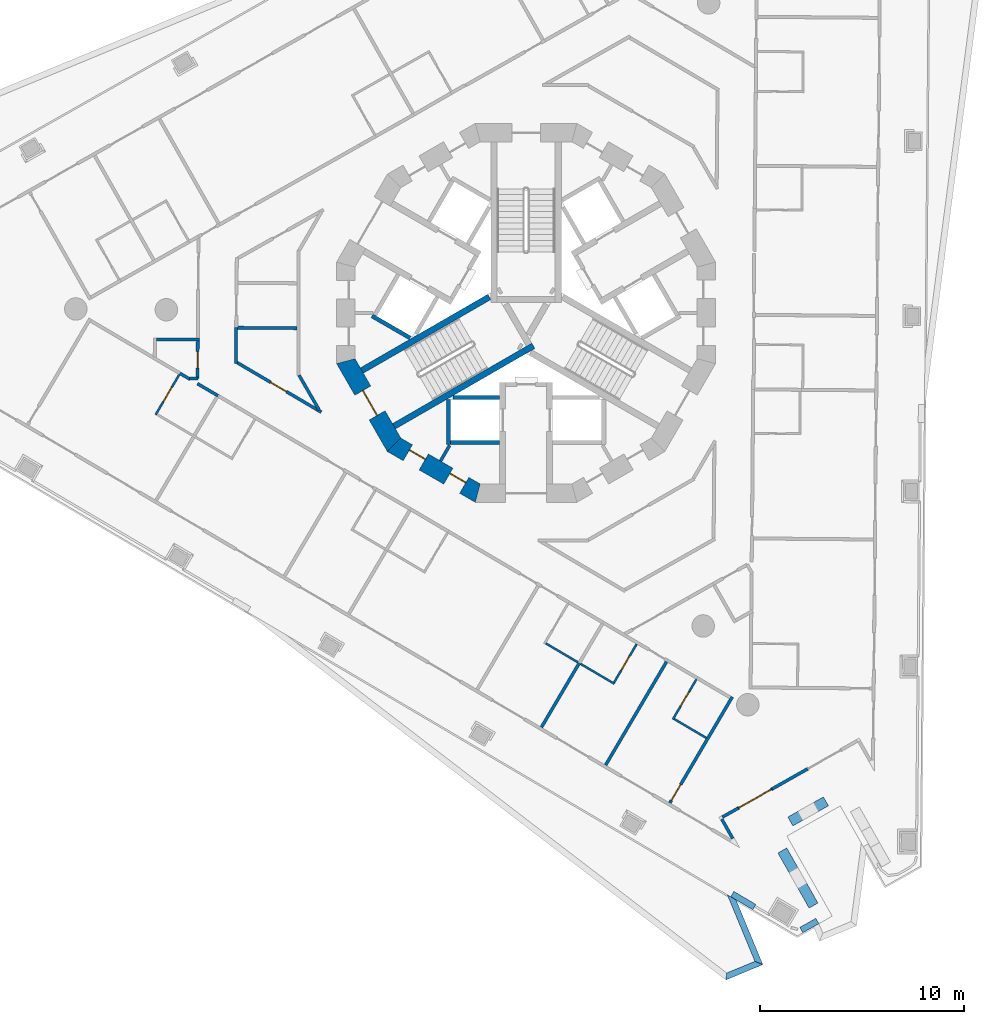
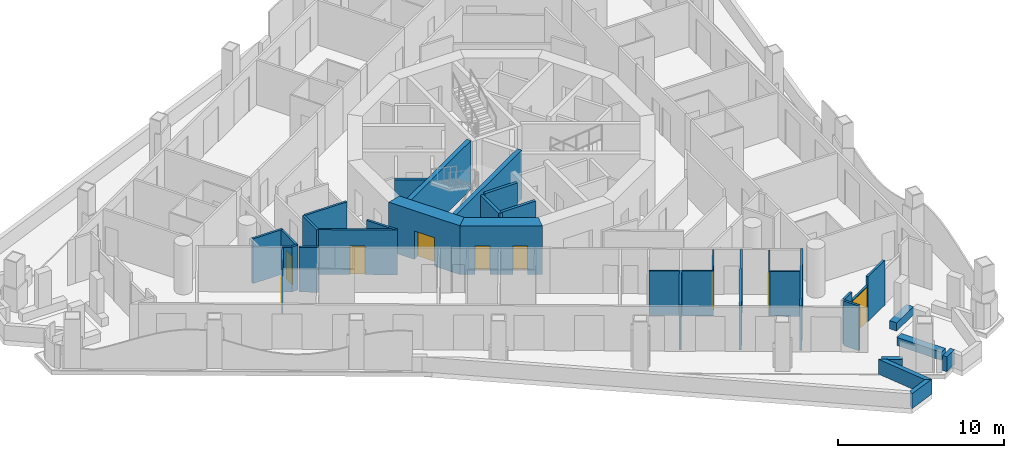
# One storey, part 3 of 18: 37 walls, 10 doors, 10 openings.
"""IFC4 building model written with IfcOpenShell, lengths in metres."""

from ifc_helpers import new_model, si_unit, direction, frame, frame_2d, origin, place, context, subcontext, project, spatial, polyline, rectangle, outline, extrude, material, layer, layer_set, type_object, element, fill, save


model = new_model("IFC4")

# Units and contexts
model_context = context("Model", 3, precision=1e-05, world=origin(), true_north=direction((0.0, 1.0)))
body_context = subcontext(model_context, "Body", "Model", "MODEL_VIEW")
ifc_project = project(units=[si_unit("LENGTHUNIT", "METRE"), si_unit("AREAUNIT", "SQUARE_METRE"), si_unit("VOLUMEUNIT", "CUBIC_METRE"), si_unit("PLANEANGLEUNIT", "RADIAN"), si_unit("MASSUNIT", "GRAM", prefix="KILO")], contexts=[model_context])

# Site, building, storey
site_placement = place(None, origin())
site = spatial("IfcSite", under=ifc_project, at=site_placement, CompositionType="ELEMENT")
building_placement = place(site_placement, origin())
building = spatial("IfcBuilding", under=site, at=building_placement, Name="Trine Commons Tower", CompositionType="ELEMENT")
storey_placement = place(building_placement, frame((0.0, 0.0, 161.10009765625)))
storey = spatial("IfcBuildingStorey", under=building, at=storey_placement, Name="L41", CompositionType="ELEMENT", Elevation=161.10009765625)

# Walls
ifc_material_1 = material(Name="Plasterboard partition on steel studs", Category="steel")
ifc_layer_1 = layer(ifc_material_1, 0.14990234375)
ifc_layer_set_1 = layer_set([ifc_layer_1], Name="Plasterboard partition on steel studs")
wall_type_1 = type_object("IfcWallType", Name="Core room partition 150 mm, EI 60", PredefinedType="PARTITIONING", material=ifc_layer_set_1)
wall_1_placement = place(storey_placement, frame((75.81396484375, 55.2490234375, 0.0), z_axis=(0.0, 0.0, 1.0), x_axis=(0.499890179513, 0.866088799389, 0.0)))
element("IfcWall", 1, at=wall_1_placement, inside=storey, type_object=wall_type_1, Name="Core room partition L41", PredefinedType="PARTITIONING", context=body_context, shape_type="SweptSolid", body=[
    extrude(rectangle(XDim=0.882080078125, YDim=0.14990234375, at=frame_2d((0.44091796875, 0.0))), origin(), (0.0, 0.0, 1.0), 3.2998046875),
])
ifc_material_2 = material(Name="Aluminium-framed insulated wall panel", Category="aluminium")
ifc_layer_2 = layer(ifc_material_2, 0.14990234375)
ifc_layer_set_2 = layer_set([ifc_layer_2], Name="Aluminium-framed insulated wall panel")
wall_type_2 = type_object("IfcWallType", Name="Glazed frame wall 150, EI 60", PredefinedType="SOLIDWALL", material=ifc_layer_set_2)
wall_2_placement = place(storey_placement, frame((93.77685546875, 40.180419921875, 0.0), z_axis=(0.0, 0.0, 1.0), x_axis=(-0.870353598469, -0.492427267353, 0.0)))
element("IfcWall", 2, at=wall_2_placement, inside=storey, type_object=wall_type_2, Name="Glazed frame wall P3.3", PredefinedType="SOLIDWALL", context=body_context, shape_type="SweptSolid", body=[
    extrude(outline(polyline([(0.0, -0.074951171875), (2.0, -0.074951171875), (2.0, 0.074951171875), (0.0, 0.074951171875), (0.0, -0.074951171875)])), origin(), (0.0, 0.0, 1.0), 3.2998046875),
])

# Wall, opening, door
wall_3_placement = place(storey_placement, frame((92.0361328125, 39.195556640625, 0.0), z_axis=(0.0, 0.0, 1.0), x_axis=(-0.870385695537, -0.492370532226, 0.0)))
wall_3 = element("IfcWall", 3, at=wall_3_placement, inside=storey, type_object=wall_type_2, Name="Glazed frame wall P3.4", PredefinedType="SOLIDWALL", context=body_context, shape_type="SweptSolid", body=[
    extrude(outline(polyline([(0.0, -0.074951171875), (1.89990234375, -0.074951171875), (1.89990234375, 0.074951171875), (0.0, 0.074951171875), (0.0, -0.074951171875)])), origin(), (0.0, 0.0, 1.0), 2.64990234375),
])
opening_1_placement = place(wall_3_placement, frame((0.050048828125, 0.0, 0.0)))
opening_1 = element("IfcOpeningElement", 4, at=opening_1_placement, cuts=wall_3, Name="Opening BD-5P3-02", PredefinedType="OPENING", context=body_context, shape_type="SweptSolid", body=[
    extrude(rectangle(XDim=1.800048828125, YDim=2.60009765625, at=frame_2d((0.89990234375, 1.300048828125))), frame((0.0, 0.0849609375, 0.0), z_axis=(0.0, -1.0, 0.0), x_axis=(1.0, 0.0, 0.0)), (0.0, 0.0, 1.0), 0.169921875),
])
ifc_material_3 = material(Name="Anodised aluminium frame with double glazing", Category="aluminium")
door_type_1 = type_object("IfcDoorType", Name="Sliding loggia door 1800x2600", OperationType="SLIDING_TO_LEFT", PredefinedType="DOOR", material=ifc_material_3)
door_1_placement = place(opening_1_placement, origin())
door_1 = element("IfcDoor", 5, at=door_1_placement, inside=storey, type_object=door_type_1, Name="Loggia door P3 2", OperationType="SLIDING_TO_LEFT", OverallHeight=2.60009765625, OverallWidth=1.800048828125, PredefinedType="DOOR", context=body_context, shape_type="SweptSolid", body=[
    extrude(rectangle(XDim=1.800048828125, YDim=2.60009765625, at=frame_2d((0.89990234375, 1.300048828125))), frame((0.0, 0.02490234375, 0.0), z_axis=(0.0, -1.0, 0.0), x_axis=(1.0, 0.0, 0.0)), (0.0, 0.0, 1.0), 0.050048828125),
])
fill(opening_1, door_1)

# Walls
wall_4_placement = place(storey_placement, frame((90.38232421875, 38.260009765625, 0.0), z_axis=(0.0, 0.0, 1.0), x_axis=(-0.870294379776, -0.492531920316, 0.0)))
element("IfcWall", 6, at=wall_4_placement, inside=storey, type_object=wall_type_2, Name="Glazed frame wall P3.5", PredefinedType="SOLIDWALL", context=body_context, shape_type="SweptSolid", body=[
    extrude(outline(polyline([(0.889892578125, 0.074951171875), (0.0, 0.074951171875), (0.0, -0.074951171875), (0.889892578125, -0.074951171875), (0.889892578125, 0.074951171875)])), origin(), (0.0, 0.0, 1.0), 3.2998046875),
])
wall_5_placement = place(storey_placement, frame((89.525390625, 37.815185546875, 0.0), z_axis=(0.0, 0.0, 1.0), x_axis=(0.492302481267, -0.870424187933, 0.0)))
element("IfcWall", 7, at=wall_5_placement, inside=storey, type_object=wall_type_2, Name="Glazed frame wall R11", PredefinedType="SOLIDWALL", context=body_context, shape_type="SweptSolid", body=[
    extrude(outline(polyline([(0.110107421875, 0.074951171875), (0.110107421875, -0.074951171875), (1.19580078125, -0.074951171875), (1.19580078125, 0.074951171875), (0.110107421875, 0.074951171875)])), origin(), (0.0, 0.0, 1.0), 3.2998046875),
])
ifc_material_4 = material(Name="Planter trough, precast concrete C40/50", Category="concrete")
ifc_layer_3 = layer(ifc_material_4, 0.5)
ifc_layer_set_3 = layer_set([ifc_layer_3], Name="Planter trough, precast concrete C40/50")
wall_type_3 = type_object("IfcWallType", Name="Planter trough 500x600", PredefinedType="PARAPET", material=ifc_layer_set_3)
wall_6_placement = place(storey_placement, frame((94.67529296875, 38.592041015625, 0.0), z_axis=(0.0, 0.0, 1.0), x_axis=(-0.870323993841, -0.492479589165, 0.0)))
element("IfcWall", 8, at=wall_6_placement, inside=storey, type_object=wall_type_3, Name="Planter 8", PredefinedType="PARAPET", context=body_context, shape_type="SweptSolid", body=[
    extrude(rectangle(XDim=1.999755859375, YDim=0.5, at=frame_2d((1.0, 0.0))), origin(), (0.0, 0.0, 1.0), 0.599853515625),
])
wall_7_placement = place(storey_placement, frame((92.541748046875, 36.189697265625, 0.0), z_axis=(0.0, 0.0, 1.0), x_axis=(0.492402381783, -0.870367677717, 0.0)))
element("IfcWall", 9, at=wall_7_placement, inside=storey, type_object=wall_type_3, Name="Planter 9", PredefinedType="PARAPET", context=body_context, shape_type="SweptSolid", body=[
    extrude(rectangle(XDim=3.099853515625, YDim=0.5, at=frame_2d((1.5498046875, 0.0))), origin(), (0.0, 0.0, 1.0), 0.599853515625),
])
ifc_material_5 = material(Name="Concrete C60/75", Category="concrete")
ifc_layer_4 = layer(ifc_material_5, 0.300048828125)
ifc_layer_set_4 = layer_set([ifc_layer_4], Name="Concrete C60/75")
wall_type_4 = type_object("IfcWallType", Name="RC shear wall 300 mm, C60/75", PredefinedType="SHEAR", material=ifc_layer_set_4)
wall_8_placement = place(storey_placement, frame((78.199951171875, 63.280029296875, 0.0), z_axis=(0.0, 0.0, 1.0), x_axis=(-0.866028135082, -0.499995269223, 0.0)))
element("IfcWall", 10, at=wall_8_placement, inside=storey, type_object=wall_type_4, Name="Core cross wall SWB-07 L41", PredefinedType="SHEAR", context=body_context, shape_type="SweptSolid", body=[
    extrude(rectangle(XDim=7.2041015625, YDim=0.300048828125, at=frame_2d((3.60205078125, 0.0))), origin(), (0.0, 0.0, 1.0), 3.599853515625),
])
wall_9_placement = place(storey_placement, frame((80.35400390625, 60.885986328125, 0.0), z_axis=(0.0, 0.0, 1.0), x_axis=(-0.866047706748, -0.499961368145, 0.0)))
element("IfcWall", 11, at=wall_9_placement, inside=storey, type_object=wall_type_4, Name="Core cross wall SWB-14 L41", PredefinedType="SHEAR", context=body_context, shape_type="SweptSolid", body=[
    extrude(rectangle(XDim=7.87255859375, YDim=0.300048828125, at=frame_2d((3.936279296875, 0.0))), origin(), (0.0, 0.0, 1.0), 3.599853515625),
])

# Wall, opening, door
ifc_layer_5 = layer(ifc_material_5, 0.89990234375)
ifc_layer_set_5 = layer_set([ifc_layer_5], Name="Concrete C60/75")
wall_type_5 = type_object("IfcWallType", Name="RC shear wall 900 mm, C60/75", PredefinedType="SHEAR", material=ifc_layer_set_5)
wall_10_placement = place(storey_placement, frame((71.11669921875, 60.240234375, 0.0), z_axis=(0.0, 0.0, 1.0), x_axis=(0.500038571144, -0.866003133579, 0.0)))
wall_10 = element("IfcWall", 12, at=wall_10_placement, inside=storey, type_object=wall_type_5, Name="Core wall CWE-08 L41", PredefinedType="SHEAR", context=body_context, shape_type="SweptSolid", body=[
    extrude(outline(polyline([(0.0, -0.449951171875), (4.96923828125, -0.449951171875), (4.72802734375, 0.449951171875), (0.2412109375, 0.449951171875), (0.0, -0.449951171875)])), origin(), (0.0, 0.0, 1.0), 3.599853515625),
])
opening_2_placement = place(wall_10_placement, frame((1.78466796875, 0.0, 0.0)))
opening_2 = element("IfcOpeningElement", 13, at=opening_2_placement, cuts=wall_10, Name="Opening K12.02", PredefinedType="OPENING", context=body_context, shape_type="SweptSolid", body=[
    extrude(rectangle(XDim=1.39990234375, YDim=2.10009765625, at=frame_2d((0.699951171875, 1.050048828125))), frame((0.0, 0.4599609375, 0.0), z_axis=(0.0, -1.0, 0.0), x_axis=(1.0, 0.0, 0.0)), (0.0, 0.0, 1.0), 0.919921875),
])
ifc_material_6 = material(Name="Steel door leaves, fire-rated", Category="steel")
door_type_2 = type_object("IfcDoorType", Name="Stair door, double leaf 1400 x 2100, FD90", OperationType="DOUBLE_DOOR_SINGLE_SWING", PredefinedType="DOOR", material=ifc_material_6)
door_2_placement = place(opening_2_placement, origin())
door_2 = element("IfcDoor", 14, at=door_2_placement, inside=storey, type_object=door_type_2, Name="Stair door to Exit stair ST2B L41", OperationType="DOUBLE_DOOR_SINGLE_SWING", OverallHeight=2.10009765625, OverallWidth=1.39990234375, PredefinedType="DOOR", context=body_context, shape_type="SweptSolid", body=[
    extrude(rectangle(XDim=1.39990234375, YDim=2.10009765625, at=frame_2d((0.699951171875, 1.050048828125))), frame((0.0, 0.02490234375, 0.0), z_axis=(0.0, -1.0, 0.0), x_axis=(1.0, 0.0, 0.0)), (0.0, 0.0, 1.0), 0.050048828125),
])
fill(opening_2, door_2)

# Wall, openings, doors
wall_11_placement = place(storey_placement, frame((73.436767578125, 56.1015625, 0.0), z_axis=(0.0, 0.0, 1.0), x_axis=(0.866003133579, -0.500038571144, 0.0)))
wall_11 = element("IfcWall", 15, at=wall_11_placement, inside=storey, type_object=wall_type_5, Name="Core wall CWE-09 L41", PredefinedType="SHEAR", context=body_context, shape_type="SweptSolid", body=[
    extrude(outline(polyline([(0.0, -0.449951171875), (4.96923828125, -0.449951171875), (4.72802734375, 0.449951171875), (0.2412109375, 0.449951171875), (0.0, -0.449951171875)])), origin(), (0.0, 0.0, 1.0), 3.599853515625),
])
opening_3_placement = place(wall_11_placement, frame((0.89599609375, 0.0, 0.0)))
opening_3 = element("IfcOpeningElement", 16, at=opening_3_placement, cuts=wall_11, Name="Opening K12.18", PredefinedType="OPENING", context=body_context, shape_type="SweptSolid", body=[
    extrude(rectangle(XDim=0.89990234375, YDim=2.10009765625, at=frame_2d((0.449951171875, 1.050048828125))), frame((0.0, 0.4599609375, 0.0), z_axis=(0.0, -1.0, 0.0), x_axis=(1.0, 0.0, 0.0)), (0.0, 0.0, 1.0), 0.919921875),
])
opening_4_placement = place(wall_11_placement, frame((3.18505859375, 0.0, 0.0)))
opening_4 = element("IfcOpeningElement", 17, at=opening_4_placement, cuts=wall_11, Name="Opening K12.19", PredefinedType="OPENING", context=body_context, shape_type="SweptSolid", body=[
    extrude(rectangle(XDim=0.89990234375, YDim=2.10009765625, at=frame_2d((0.449951171875, 1.050048828125))), frame((0.0, 0.4599609375, 0.0), z_axis=(0.0, -1.0, 0.0), x_axis=(1.0, 0.0, 0.0)), (0.0, 0.0, 1.0), 0.919921875),
])
ifc_material_7 = material(Name="Steel door leaf, fire-rated", Category="steel")
door_type_3 = type_object("IfcDoorType", Name="Core room door, single leaf 900 x 2100, FD30S", OperationType="SINGLE_SWING_LEFT", PredefinedType="DOOR", material=ifc_material_7)
door_3_placement = place(opening_3_placement, origin())
door_3 = element("IfcDoor", 18, at=door_3_placement, inside=storey, type_object=door_type_3, Name="Door to Print room L41", OperationType="SINGLE_SWING_LEFT", OverallHeight=2.10009765625, OverallWidth=0.89990234375, PredefinedType="DOOR", context=body_context, shape_type="SweptSolid", body=[
    extrude(rectangle(XDim=0.89990234375, YDim=2.10009765625, at=frame_2d((0.449951171875, 1.050048828125))), frame((0.0, 0.1748046875, 0.0), z_axis=(0.0, -1.0, 0.0), x_axis=(1.0, 0.0, 0.0)), (0.0, 0.0, 1.0), 0.050048828125),
])
fill(opening_3, door_3)
door_4_placement = place(opening_4_placement, origin())
door_4 = element("IfcDoor", 19, at=door_4_placement, inside=storey, type_object=door_type_3, Name="Door to Core WC L41", OperationType="SINGLE_SWING_RIGHT", OverallHeight=2.10009765625, OverallWidth=0.89990234375, PredefinedType="DOOR", context=body_context, shape_type="SweptSolid", body=[
    extrude(rectangle(XDim=0.89990234375, YDim=2.10009765625, at=frame_2d((0.449951171875, 1.050048828125))), frame((0.0, 0.1748046875, 0.0), z_axis=(0.0, -1.0, 0.0), x_axis=(1.0, 0.0, 0.0)), (0.0, 0.0, 1.0), 0.050048828125),
])
fill(opening_4, door_4)

# Walls
ifc_material_8 = material(Name="Fire-rated gypsum shaft wall system")
ifc_layer_6 = layer(ifc_material_8, 0.199951171875)
ifc_layer_set_6 = layer_set([ifc_layer_6], Name="Fire-rated gypsum shaft wall system")
wall_type_6 = type_object("IfcWallType", Name="Shaft wall 200 mm, EI 120", PredefinedType="PARTITIONING", material=ifc_layer_set_6)
wall_12_placement = place(storey_placement, frame((74.324951171875, 61.27392578125, 0.0), z_axis=(0.0, 0.0, 1.0), x_axis=(-0.866102336459, 0.499866725018, 0.0)))
element("IfcWall", 20, at=wall_12_placement, inside=storey, type_object=wall_type_6, Name="Shaft wall L41", PredefinedType="PARTITIONING", context=body_context, shape_type="SweptSolid", body=[
    extrude(rectangle(XDim=2.1484375, YDim=0.199951171875, at=frame_2d((1.07421875, 0.0))), origin(), (0.0, 0.0, 1.0), 3.2998046875),
])
wall_13_placement = place(storey_placement, frame((76.199951171875, 58.257080078125, 0.0), z_axis=(0.0, 0.0, 1.0), x_axis=(0.0, -1.0, 0.0)))
element("IfcWall", 21, at=wall_13_placement, inside=storey, type_object=wall_type_6, Name="Shaft wall L41", PredefinedType="PARTITIONING", context=body_context, shape_type="SweptSolid", body=[
    extrude(rectangle(XDim=2.20703125, YDim=0.199951171875, at=frame_2d((1.103515625, 0.0))), origin(), (0.0, 0.0, 1.0), 3.2998046875),
])
wall_14_placement = place(storey_placement, frame((78.699951171875, 56.14990234375, 0.0), z_axis=(0.0, 0.0, 1.0), x_axis=(-1.0, 0.0, 0.0)))
element("IfcWall", 22, at=wall_14_placement, inside=storey, type_object=wall_type_6, Name="Shaft wall L41", PredefinedType="PARTITIONING", context=body_context, shape_type="SweptSolid", body=[
    extrude(rectangle(XDim=2.39990234375, YDim=0.199951171875, at=frame_2d((1.199951171875, 0.0))), origin(), (0.0, 0.0, 1.0), 3.2998046875),
])
wall_15_placement = place(storey_placement, frame((78.699951171875, 58.35009765625, 0.0), z_axis=(0.0, 0.0, 1.0), x_axis=(-1.0, 0.0, 0.0)))
element("IfcWall", 23, at=wall_15_placement, inside=storey, type_object=wall_type_6, Name="Shaft wall L41", PredefinedType="PARTITIONING", context=body_context, shape_type="SweptSolid", body=[
    extrude(rectangle(XDim=2.264892578125, YDim=0.199951171875, at=frame_2d((1.13232421875, 0.0))), origin(), (0.0, 0.0, 1.0), 3.2998046875),
])
ifc_material_9 = material(Name="Limestone, honed", Category="masonry")
ifc_layer_7 = layer(ifc_material_9, 0.300048828125)
ifc_layer_set_7 = layer_set([ifc_layer_7], Name="Limestone, honed")
wall_type_7 = type_object("IfcWallType", Name="Stone parapet 300", PredefinedType="PARAPET", material=ifc_layer_set_7)
wall_16_placement = place(storey_placement, origin())
element("IfcWall", 24, at=wall_16_placement, inside=storey, type_object=wall_type_7, Name="Sliver roof parapet L40 3.2", PredefinedType="PARAPET", context=body_context, shape_type="SweptSolid", body=[
    extrude(outline(polyline([(89.77490234375, 29.848876953125), (91.589599609375, 30.6005859375), (91.197509765625, 30.762939453125), (89.8203125, 30.1923828125), (89.77490234375, 29.848876953125)])), origin(), (0.0, 0.0, 1.0), 1.099853515625),
])
wall_17_placement = place(storey_placement, origin())
element("IfcWall", 25, at=wall_17_placement, inside=storey, type_object=wall_type_7, Name="Sliver roof parapet L40 3.3", PredefinedType="PARAPET", context=body_context, shape_type="SweptSolid", body=[
    extrude(outline(polyline([(91.589599609375, 30.6005859375), (90.27587890625, 33.77197265625), (89.846435546875, 34.02490234375), (91.197509765625, 30.762939453125), (91.589599609375, 30.6005859375)])), origin(), (0.0, 0.0, 1.0), 1.099853515625),
])
wall_18_placement = place(storey_placement, origin())
element("IfcWall", 26, at=wall_18_placement, inside=storey, type_object=wall_type_7, Name="Sliver roof parapet extension L40 3.X2", PredefinedType="PARAPET", context=body_context, shape_type="SweptSolid", body=[
    extrude(outline(polyline([(90.169921875, 34.1826171875), (90.017578125, 33.924072265625), (91.094482421875, 33.289794921875), (91.246826171875, 33.548095703125), (90.169921875, 34.1826171875)])), origin(), (0.0, 0.0, 1.0), 1.099853515625),
])
wall_19_placement = place(storey_placement, origin())
element("IfcWall", 27, at=wall_19_placement, inside=storey, type_object=wall_type_7, Name="Sliver roof parapet extension L40 4.X2", PredefinedType="PARAPET", context=body_context, shape_type="SweptSolid", body=[
    extrude(outline(polyline([(93.397705078125, 32.423095703125), (93.54541015625, 32.161865234375), (94.328857421875, 32.60498046875), (94.18115234375, 32.8662109375), (93.397705078125, 32.423095703125)])), origin(), (0.0, 0.0, 1.0), 1.099853515625),
])
ifc_material_10 = material(Name="Gypsum plasterboard on steel stud", Category="steel")
ifc_layer_8 = layer(ifc_material_10, 0.14990234375)
ifc_layer_set_8 = layer_set([ifc_layer_8], Name="Gypsum plasterboard on steel stud")
wall_type_8 = type_object("IfcWallType", Name="Unit and corridor wall 150 mm, EI 60", PredefinedType="PARTITIONING", material=ifc_layer_set_8)
wall_20_placement = place(storey_placement, frame((61.907958984375, 61.204345703125, 0.0), z_axis=(0.0, 0.0, 1.0), x_axis=(0.999962964822, -0.008606333961, 0.0)))
element("IfcWall", 28, at=wall_20_placement, inside=storey, type_object=wall_type_8, Name="Partition 011", PredefinedType="PARTITIONING", context=body_context, shape_type="SweptSolid", body=[
    extrude(rectangle(XDim=2.09912109375, YDim=0.14990234375, at=frame_2d((1.049560546875, 0.0))), origin(), (0.0, 0.0, 1.0), 3.2998046875),
])
wall_21_placement = place(storey_placement, frame((63.05908203125, 59.541015625, 0.0), z_axis=(0.0, 0.0, 1.0), x_axis=(0.861380392191, -0.507960451167, 0.0)))
element("IfcWall", 29, at=wall_21_placement, inside=storey, type_object=wall_type_8, Name="Partition 017", PredefinedType="PARTITIONING", context=body_context, shape_type="SweptSolid", body=[
    extrude(rectangle(XDim=0.567138671875, YDim=0.14990234375, at=frame_2d((0.28369140625, 0.0))), origin(), (0.0, 0.0, 1.0), 3.2998046875),
])
wall_22_placement = place(storey_placement, frame((63.537109375, 59.29052734375, 0.0), z_axis=(0.0, 0.0, 1.0), x_axis=(0.99995807265, -0.009157125207, 0.0)))
element("IfcWall", 30, at=wall_22_placement, inside=storey, type_object=wall_type_8, Name="Partition 018", PredefinedType="PARTITIONING", context=body_context, shape_type="SweptSolid", body=[
    extrude(rectangle(XDim=0.39990234375, YDim=0.14990234375, at=frame_2d((0.199951171875, 0.0))), origin(), (0.0, 0.0, 1.0), 3.2998046875),
])
wall_23_placement = place(storey_placement, frame((63.9140625, 59.037109375, 0.0), z_axis=(0.0, 0.0, 1.0), x_axis=(0.861518804546, -0.507725663536, 0.0)))
element("IfcWall", 31, at=wall_23_placement, inside=storey, type_object=wall_type_8, Name="Partition 021", PredefinedType="PARTITIONING", context=body_context, shape_type="SweptSolid", body=[
    extrude(rectangle(XDim=1.1640625, YDim=0.14990234375, at=frame_2d((0.58203125, 0.0))), origin(), (0.0, 0.0, 1.0), 3.2998046875),
])

# Wall, opening, door
wall_24_placement = place(storey_placement, frame((63.916015625, 59.282958984375, 0.0), z_axis=(0.0, 0.0, 1.0), x_axis=(0.008923459297, 0.999960185144, 0.0)))
wall_24 = element("IfcWall", 32, at=wall_24_placement, inside=storey, type_object=wall_type_8, Name="Partition 022", PredefinedType="PARTITIONING", context=body_context, shape_type="SweptSolid", body=[
    extrude(rectangle(XDim=1.8330078125, YDim=0.14990234375, at=frame_2d((0.91650390625, 0.0))), origin(), (0.0, 0.0, 1.0), 3.2998046875),
])
opening_5_placement = place(wall_24_placement, frame((0.5185546875, 0.0, 0.0)))
opening_5 = element("IfcOpeningElement", 33, at=opening_5_placement, cuts=wall_24, Name="Opening D-5A05", PredefinedType="OPENING", context=body_context, shape_type="SweptSolid", body=[
    extrude(rectangle(XDim=0.800048828125, YDim=2.10009765625, at=frame_2d((0.39990234375, 1.050048828125))), frame((0.0, 0.0849609375, 0.0), z_axis=(0.0, -1.0, 0.0), x_axis=(1.0, 0.0, 0.0)), (0.0, 0.0, 1.0), 0.169921875),
])
ifc_material_11 = material(Name="Painted timber", Category="wood")
door_type_4 = type_object("IfcDoorType", Name="Toilet door 800 x 2100, NOT RATED", OperationType="NOTDEFINED", PredefinedType="DOOR", material=ifc_material_11)
door_5_placement = place(opening_5_placement, origin())
door_5 = element("IfcDoor", 34, at=door_5_placement, inside=storey, type_object=door_type_4, Name="Door D-5A05", OperationType="SINGLE_SWING_RIGHT", OverallHeight=2.10009765625, OverallWidth=0.800048828125, PredefinedType="DOOR", context=body_context, shape_type="SweptSolid", body=[
    extrude(rectangle(XDim=0.800048828125, YDim=2.10009765625, at=frame_2d((0.39990234375, 1.050048828125))), frame((0.0, 0.02490234375, 0.0), z_axis=(0.0, -1.0, 0.0), x_axis=(1.0, 0.0, 0.0)), (0.0, 0.0, 1.0), 0.050048828125),
])
fill(opening_5, door_5)

# Wall
wall_25_placement = place(storey_placement, frame((65.79736328125, 60.028076171875, 0.0), z_axis=(0.0, 0.0, 1.0), x_axis=(0.00892821556, 0.999960142689, 0.0)))
element("IfcWall", 35, at=wall_25_placement, inside=storey, type_object=wall_type_8, Name="Partition 029", PredefinedType="PARTITIONING", context=body_context, shape_type="SweptSolid", body=[
    extrude(rectangle(XDim=1.75, YDim=0.14990234375, at=frame_2d((0.875, 0.0))), origin(), (0.0, 0.0, 1.0), 3.2998046875),
])

# Wall, opening, door
wall_26_placement = place(storey_placement, frame((65.862548828125, 60.06494140625, 0.0), z_axis=(0.0, 0.0, 1.0), x_axis=(0.861635540959, -0.507527530835, 0.0)))
wall_26 = element("IfcWall", 36, at=wall_26_placement, inside=storey, type_object=wall_type_8, Name="Partition 030", PredefinedType="PARTITIONING", context=body_context, shape_type="SweptSolid", body=[
    extrude(rectangle(XDim=4.7724609375, YDim=0.14990234375, at=frame_2d((2.38623046875, 0.0))), origin(), (0.0, 0.0, 1.0), 3.2998046875),
])
opening_6_placement = place(wall_26_placement, frame((1.898681640625, 0.0, 0.0)))
opening_6 = element("IfcOpeningElement", 37, at=opening_6_placement, cuts=wall_26, Name="Opening D-5A28", PredefinedType="OPENING", context=body_context, shape_type="SweptSolid", body=[
    extrude(rectangle(XDim=0.89990234375, YDim=2.10009765625, at=frame_2d((0.449951171875, 1.050048828125))), frame((0.0, 0.0849609375, 0.0), z_axis=(0.0, -1.0, 0.0), x_axis=(1.0, 0.0, 0.0)), (0.0, 0.0, 1.0), 0.169921875),
])
ifc_material_12 = material(Name="Timber fire door set", Category="wood")
door_type_5 = type_object("IfcDoorType", Name="Service door 900 x 2100, FD30S", OperationType="NOTDEFINED", PredefinedType="DOOR", material=ifc_material_12)
door_6_placement = place(opening_6_placement, origin())
door_6 = element("IfcDoor", 38, at=door_6_placement, inside=storey, type_object=door_type_5, Name="Door D-5A28", OperationType="SINGLE_SWING_LEFT", OverallHeight=2.10009765625, OverallWidth=0.89990234375, PredefinedType="DOOR", context=body_context, shape_type="SweptSolid", body=[
    extrude(rectangle(XDim=0.89990234375, YDim=2.10009765625, at=frame_2d((0.449951171875, 1.050048828125))), frame((0.0, 0.02490234375, 0.0), z_axis=(0.0, -1.0, 0.0), x_axis=(1.0, 0.0, 0.0)), (0.0, 0.0, 1.0), 0.050048828125),
])
fill(opening_6, door_6)

# Walls
wall_27_placement = place(storey_placement, frame((65.887939453125, 61.773193359375, 0.0), z_axis=(0.0, 0.0, 1.0), x_axis=(0.999961385679, -0.008787897931, 0.0)))
element("IfcWall", 39, at=wall_27_placement, inside=storey, type_object=wall_type_8, Name="Partition 032", PredefinedType="PARTITIONING", context=body_context, shape_type="SweptSolid", body=[
    extrude(rectangle(XDim=2.88916015625, YDim=0.14990234375, at=frame_2d((1.444580078125, 0.0))), origin(), (0.0, 0.0, 1.0), 3.2998046875),
])
wall_28_placement = place(storey_placement, frame((68.889404296875, 59.447998046875, 0.0), z_axis=(0.0, 0.0, 1.0), x_axis=(0.500259007655, -0.865875813994, 0.0)))
element("IfcWall", 40, at=wall_28_placement, inside=storey, type_object=wall_type_8, Name="Partition 038", PredefinedType="PARTITIONING", context=body_context, shape_type="SweptSolid", body=[
    extrude(rectangle(XDim=1.96923828125, YDim=0.14990234375, at=frame_2d((0.984619140625, 0.0))), origin(), (0.0, 0.0, 1.0), 3.2998046875),
])
wall_29_placement = place(storey_placement, frame((80.750244140625, 42.215576171875, 0.0), z_axis=(0.0, 0.0, 1.0), x_axis=(0.507590300209, 0.861598564956, 0.0)))
element("IfcWall", 41, at=wall_29_placement, inside=storey, type_object=wall_type_8, Name="Partition 066", PredefinedType="PARTITIONING", context=body_context, shape_type="SweptSolid", body=[
    extrude(rectangle(XDim=3.648193359375, YDim=0.14990234375, at=frame_2d((1.82421875, 0.0))), origin(), (0.0, 0.0, 1.0), 3.2998046875),
])
wall_30_placement = place(storey_placement, frame((83.892333984375, 40.364501953125, 0.0), z_axis=(0.0, 0.0, 1.0), x_axis=(0.507590384089, 0.86159851554, 0.0)))
element("IfcWall", 42, at=wall_30_placement, inside=storey, type_object=wall_type_8, Name="Partition 081", PredefinedType="PARTITIONING", context=body_context, shape_type="SweptSolid", body=[
    extrude(rectangle(XDim=5.873779296875, YDim=0.14990234375, at=frame_2d((2.93701171875, 0.0))), origin(), (0.0, 0.0, 1.0), 3.2998046875),
])

# Wall, opening, door
wall_31_placement = place(storey_placement, frame((87.035400390625, 38.512451171875, 0.0), z_axis=(0.0, 0.0, 1.0), x_axis=(0.507392006532, 0.861715354225, 0.0)))
wall_31 = element("IfcWall", 43, at=wall_31_placement, inside=storey, type_object=wall_type_8, Name="Partition 092", PredefinedType="PARTITIONING", context=body_context, shape_type="SweptSolid", body=[
    extrude(rectangle(XDim=6.024169921875, YDim=0.14990234375, at=frame_2d((3.01220703125, 0.0))), origin(), (0.0, 0.0, 1.0), 3.2998046875),
])
opening_7_placement = place(wall_31_placement, frame((0.14990234375, 0.0, 0.0)))
opening_7 = element("IfcOpeningElement", 44, at=opening_7_placement, cuts=wall_31, Name="Opening D-5A19", PredefinedType="OPENING", context=body_context, shape_type="SweptSolid", body=[
    extrude(rectangle(XDim=0.89990234375, YDim=2.10009765625, at=frame_2d((0.449951171875, 1.050048828125))), frame((0.0, 0.0849609375, 0.0), z_axis=(0.0, -1.0, 0.0), x_axis=(1.0, 0.0, 0.0)), (0.0, 0.0, 1.0), 0.169921875),
])
door_type_6 = type_object("IfcDoorType", Name="Bedroom door 900 x 2100, FD30S", OperationType="NOTDEFINED", PredefinedType="DOOR", material=ifc_material_12)
door_7_placement = place(opening_7_placement, origin())
door_7 = element("IfcDoor", 45, at=door_7_placement, inside=storey, type_object=door_type_6, Name="Door D-5A19", OperationType="SINGLE_SWING_LEFT", OverallHeight=2.10009765625, OverallWidth=0.89990234375, PredefinedType="DOOR", context=body_context, shape_type="SweptSolid", body=[
    extrude(rectangle(XDim=0.89990234375, YDim=2.10009765625, at=frame_2d((0.449951171875, 1.050048828125))), frame((0.0, 0.02490234375, 0.0), z_axis=(0.0, -1.0, 0.0), x_axis=(1.0, 0.0, 0.0)), (0.0, 0.0, 1.0), 0.050048828125),
])
fill(opening_7, door_7)

ifc_layer_9 = layer(ifc_material_10, 0.10009765625)
ifc_layer_set_9 = layer_set([ifc_layer_9], Name="Gypsum plasterboard on steel stud")
wall_type_9 = type_object("IfcWallType", Name="Unit partition 100 mm, no rating", PredefinedType="PARTITIONING", material=ifc_layer_set_9)
wall_32_placement = place(storey_placement, frame((61.86865234375, 57.513916015625, 0.0), z_axis=(0.0, 0.0, 1.0), x_axis=(0.50769515182, 0.861536785528, 0.0)))
wall_32 = element("IfcWall", 46, at=wall_32_placement, inside=storey, type_object=wall_type_9, Name="Partition 013", PredefinedType="PARTITIONING", context=body_context, shape_type="SweptSolid", body=[
    extrude(rectangle(XDim=2.275634765625, YDim=0.10009765625, at=frame_2d((1.1376953125, 0.0))), origin(), (0.0, 0.0, 1.0), 3.2998046875),
])
opening_8_placement = place(wall_32_placement, frame((0.7626953125, 0.0, 0.0)))
opening_8 = element("IfcOpeningElement", 47, at=opening_8_placement, cuts=wall_32, Name="Opening D-5A50", PredefinedType="OPENING", context=body_context, shape_type="SweptSolid", body=[
    extrude(rectangle(XDim=0.800048828125, YDim=2.10009765625, at=frame_2d((0.39990234375, 1.050048828125))), frame((0.0, 0.06005859375, 0.0), z_axis=(0.0, -1.0, 0.0), x_axis=(1.0, 0.0, 0.0)), (0.0, 0.0, 1.0), 0.1201171875),
])
door_type_7 = type_object("IfcDoorType", Name="Internal door 800 x 2100, NOT RATED", OperationType="NOTDEFINED", PredefinedType="DOOR", material=ifc_material_11)
door_8_placement = place(opening_8_placement, origin())
door_8 = element("IfcDoor", 48, at=door_8_placement, inside=storey, type_object=door_type_7, Name="Door D-5A50", OperationType="SINGLE_SWING_RIGHT", OverallHeight=2.10009765625, OverallWidth=0.800048828125, PredefinedType="DOOR", context=body_context, shape_type="SweptSolid", body=[
    extrude(rectangle(XDim=0.800048828125, YDim=2.10009765625, at=frame_2d((0.39990234375, 1.050048828125))), frame((0.0, 0.02490234375, 0.0), z_axis=(0.0, -1.0, 0.0), x_axis=(1.0, 0.0, 0.0)), (0.0, 0.0, 1.0), 0.050048828125),
])
fill(opening_8, door_8)

# Walls
wall_33_placement = place(storey_placement, frame((80.965087890625, 46.323486328125, 0.0), z_axis=(0.0, 0.0, 1.0), x_axis=(0.861596974365, -0.507593000115, 0.0)))
element("IfcWall", 49, at=wall_33_placement, inside=storey, type_object=wall_type_9, Name="Partition 071", PredefinedType="PARTITIONING", context=body_context, shape_type="SweptSolid", body=[
    extrude(rectangle(XDim=1.82470703125, YDim=0.10009765625, at=frame_2d((0.912353515625, 0.0))), origin(), (0.0, 0.0, 1.0), 3.2998046875),
])
wall_34_placement = place(storey_placement, frame((82.66650390625, 45.321044921875, 0.0), z_axis=(0.0, 0.0, 1.0), x_axis=(0.861738513716, -0.507352672191, 0.0)))
element("IfcWall", 50, at=wall_34_placement, inside=storey, type_object=wall_type_9, Name="Partition 076", PredefinedType="PARTITIONING", context=body_context, shape_type="SweptSolid", body=[
    extrude(rectangle(XDim=1.9248046875, YDim=0.10009765625, at=frame_2d((0.96240234375, 0.0))), origin(), (0.0, 0.0, 1.0), 3.2998046875),
])

# Wall, opening, door
wall_35_placement = place(storey_placement, frame((84.307373046875, 44.4130859375, 0.0), z_axis=(0.0, 0.0, 1.0), x_axis=(0.507559836999, 0.861616510906, 0.0)))
wall_35 = element("IfcWall", 51, at=wall_35_placement, inside=storey, type_object=wall_type_9, Name="Partition 083", PredefinedType="PARTITIONING", context=body_context, shape_type="SweptSolid", body=[
    extrude(rectangle(XDim=2.174072265625, YDim=0.10009765625, at=frame_2d((1.0869140625, 0.0))), origin(), (0.0, 0.0, 1.0), 3.2998046875),
])
opening_9_placement = place(wall_35_placement, frame((0.68701171875, 0.0, 0.0)))
opening_9 = element("IfcOpeningElement", 52, at=opening_9_placement, cuts=wall_35, Name="Opening D-5A45", PredefinedType="OPENING", context=body_context, shape_type="SweptSolid", body=[
    extrude(rectangle(XDim=0.800048828125, YDim=2.10009765625, at=frame_2d((0.39990234375, 1.050048828125))), frame((0.0, 0.06005859375, 0.0), z_axis=(0.0, -1.0, 0.0), x_axis=(1.0, 0.0, 0.0)), (0.0, 0.0, 1.0), 0.1201171875),
])
door_9_placement = place(opening_9_placement, frame((0.800048828125, 0.0, 0.0), z_axis=(0.0, 0.0, 1.0), x_axis=(-1.0, 0.0, 0.0)))
door_9 = element("IfcDoor", 53, at=door_9_placement, inside=storey, type_object=door_type_7, Name="Door D-5A45", OperationType="SINGLE_SWING_RIGHT", OverallHeight=2.10009765625, OverallWidth=0.800048828125, PredefinedType="DOOR", context=body_context, shape_type="SweptSolid", body=[
    extrude(rectangle(XDim=0.800048828125, YDim=2.10009765625, at=frame_2d((0.39990234375, 1.050048828125))), frame((0.0, 0.02490234375, 0.0), z_axis=(0.0, -1.0, 0.0), x_axis=(1.0, 0.0, 0.0)), (0.0, 0.0, 1.0), 0.050048828125),
])
fill(opening_9, door_9)

wall_36_placement = place(storey_placement, frame((87.181640625, 42.60400390625, 0.0), z_axis=(0.0, 0.0, 1.0), x_axis=(0.507376506277, 0.861724480839, 0.0)))
wall_36 = element("IfcWall", 54, at=wall_36_placement, inside=storey, type_object=wall_type_9, Name="Partition 093", PredefinedType="PARTITIONING", context=body_context, shape_type="SweptSolid", body=[
    extrude(rectangle(XDim=2.275146484375, YDim=0.10009765625, at=frame_2d((1.1376953125, 0.0))), origin(), (0.0, 0.0, 1.0), 3.2998046875),
])
opening_10_placement = place(wall_36_placement, frame((0.762451171875, 0.0, 0.0)))
opening_10 = element("IfcOpeningElement", 55, at=opening_10_placement, cuts=wall_36, Name="Opening D-5A44", PredefinedType="OPENING", context=body_context, shape_type="SweptSolid", body=[
    extrude(rectangle(XDim=0.800048828125, YDim=2.10009765625, at=frame_2d((0.39990234375, 1.050048828125))), frame((0.0, 0.06005859375, 0.0), z_axis=(0.0, -1.0, 0.0), x_axis=(1.0, 0.0, 0.0)), (0.0, 0.0, 1.0), 0.1201171875),
])
door_10_placement = place(opening_10_placement, origin())
door_10 = element("IfcDoor", 56, at=door_10_placement, inside=storey, type_object=door_type_7, Name="Door D-5A44", OperationType="SINGLE_SWING_RIGHT", OverallHeight=2.10009765625, OverallWidth=0.800048828125, PredefinedType="DOOR", context=body_context, shape_type="SweptSolid", body=[
    extrude(rectangle(XDim=0.800048828125, YDim=2.10009765625, at=frame_2d((0.39990234375, 1.050048828125))), frame((0.0, 0.02490234375, 0.0), z_axis=(0.0, -1.0, 0.0), x_axis=(1.0, 0.0, 0.0)), (0.0, 0.0, 1.0), 0.050048828125),
])
fill(opening_10, door_10)

# Wall
wall_37_placement = place(storey_placement, frame((87.25, 42.62158203125, 0.0), z_axis=(0.0, 0.0, 1.0), x_axis=(0.861572937381, -0.50763379869, 0.0)))
element("IfcWall", 57, at=wall_37_placement, inside=storey, type_object=wall_type_9, Name="Partition 094", PredefinedType="PARTITIONING", context=body_context, shape_type="SweptSolid", body=[
    extrude(rectangle(XDim=1.8251953125, YDim=0.10009765625, at=frame_2d((0.91259765625, 0.0))), origin(), (0.0, 0.0, 1.0), 3.2998046875),
])

save(model, "model.ifc")
